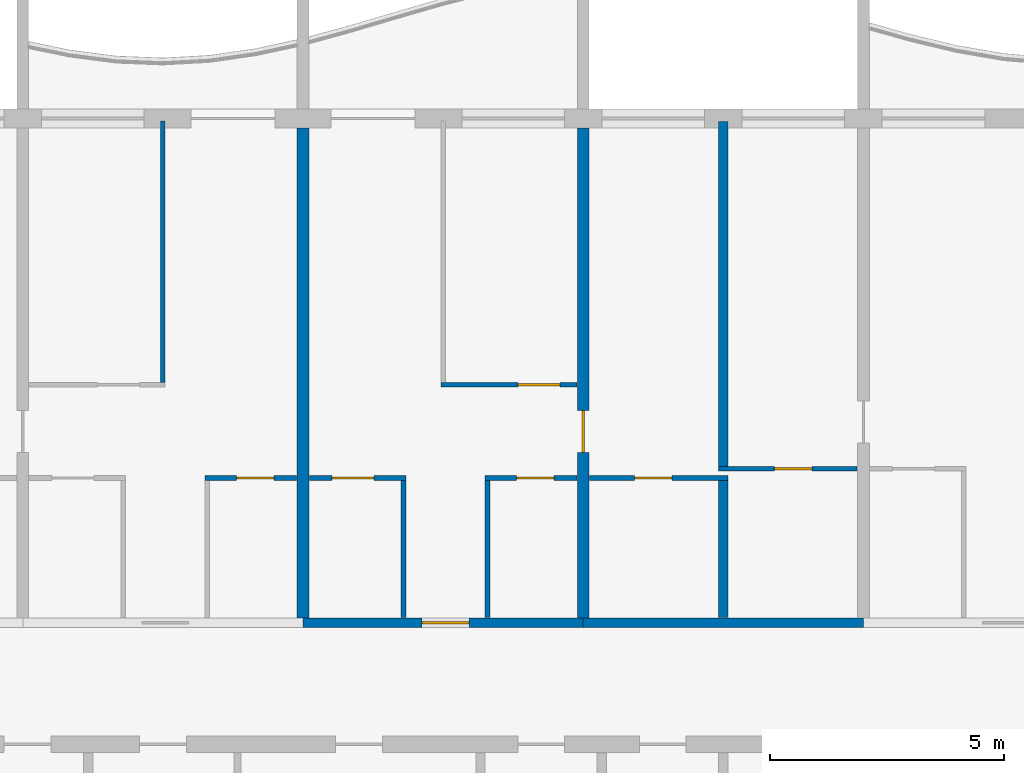
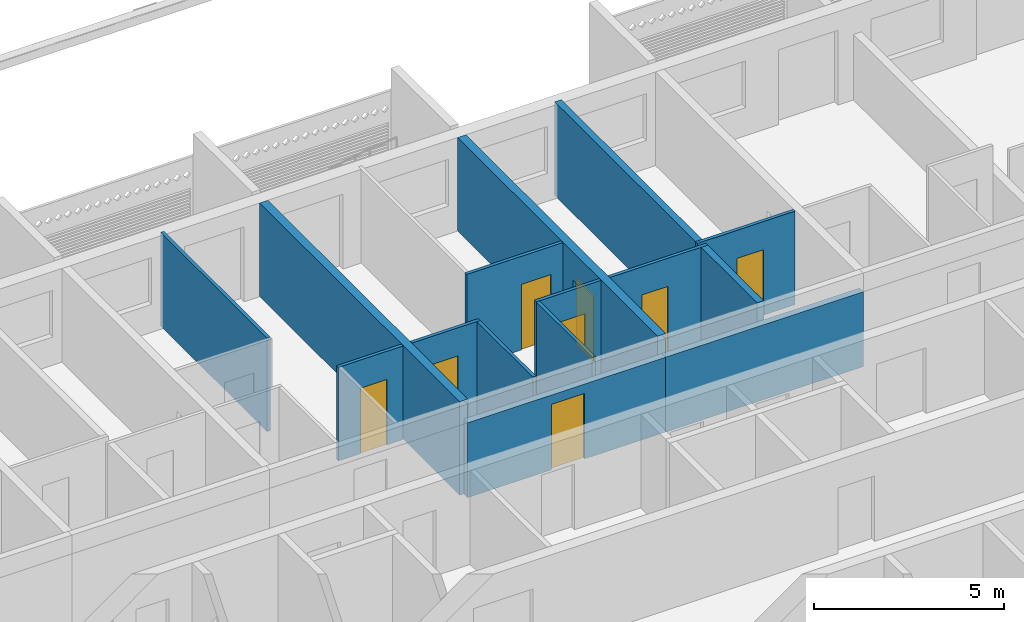
# One storey, part 11 of 20: 15 walls, 8 doors, 8 openings.
"""IFC4 building model written with IfcOpenShell, lengths in metres."""

from ifc_helpers import new_model, si_unit, direction, frame, frame_2d, origin, place, context, subcontext, project, spatial, rectangle, extrude, material, layer, layer_set, type_object, element, fill, save


model = new_model("IFC4")

# Units and contexts
model_context = context("Model", 3, precision=1e-05, world=origin(), true_north=direction((0.0, 1.0)))
body_context = subcontext(model_context, "Body", "Model", "MODEL_VIEW")
ifc_project = project(units=[si_unit("LENGTHUNIT", "METRE"), si_unit("AREAUNIT", "SQUARE_METRE"), si_unit("VOLUMEUNIT", "CUBIC_METRE"), si_unit("PLANEANGLEUNIT", "RADIAN"), si_unit("MASSUNIT", "GRAM", prefix="KILO")], contexts=[model_context])

# Site, building, storey
site_placement = place(None, origin())
site = spatial("IfcSite", under=ifc_project, at=site_placement, CompositionType="ELEMENT")
building_placement = place(site_placement, origin())
building = spatial("IfcBuilding", under=site, at=building_placement, Name="Poui Terraces", CompositionType="ELEMENT")
storey_placement = place(building_placement, frame((0.0, 0.0, 257.699951171875)))
storey = spatial("IfcBuildingStorey", under=building, at=storey_placement, Name="L72", CompositionType="ELEMENT", Elevation=257.699951171875)

# Wall, opening, door
ifc_material_1 = material(Name="Concrete 50 MPa", Category="concrete")
ifc_layer_1 = layer(ifc_material_1, 0.199951171875)
ifc_layer_set_1 = layer_set([ifc_layer_1], Name="Concrete 50 MPa")
wall_type_1 = type_object("IfcWallType", Name="CORRIDOR WALL 200 50MPa", PredefinedType="SHEAR", material=ifc_layer_set_1)
wall_1_placement = place(storey_placement, frame((54.0, 30.39990234375, 0.0), z_axis=(0.0, 0.0, 1.0), x_axis=(1.0, 0.0, 0.0)))
wall_1 = element("IfcWall", 1, at=wall_1_placement, inside=storey, type_object=wall_type_1, Name="CORRIDOR WALL LINE E BAY 7", PredefinedType="SHEAR", context=body_context, shape_type="SweptSolid", body=[
    extrude(rectangle(XDim=6.0, YDim=0.199951171875, at=frame_2d((3.0, 0.0))), origin(), (0.0, 0.0, 1.0), 2.400146484375),
])
opening_1_placement = place(wall_1_placement, frame((2.550048828125, 0.0, 0.0)))
opening_1 = element("IfcOpeningElement", 2, at=opening_1_placement, cuts=wall_1, Name="Opening FD30S", PredefinedType="OPENING", context=body_context, shape_type="SweptSolid", body=[
    extrude(rectangle(XDim=1.0, YDim=2.10009765625, at=frame_2d((0.5, 1.050048828125))), frame((0.0, 0.10986328125, 0.0), z_axis=(0.0, -1.0, 0.0), x_axis=(1.0, 0.0, 0.0)), (0.0, 0.0, 1.0), 0.219970703125),
])
ifc_material_2 = material(Name="Steel fire door", Category="steel")
door_type_1 = type_object("IfcDoorType", Name="FLAT ENTRANCE DOOR 1000 X 2100", OperationType="NOTDEFINED", PredefinedType="DOOR", material=ifc_material_2)
door_1_placement = place(opening_1_placement, origin())
door_1 = element("IfcDoor", 3, at=door_1_placement, inside=storey, type_object=door_type_1, Name="FLAT ENTRANCE DOOR 048", OperationType="SINGLE_SWING_RIGHT", OverallHeight=2.10009765625, OverallWidth=1.0, PredefinedType="DOOR", context=body_context, shape_type="SweptSolid", body=[
    extrude(rectangle(XDim=1.0, YDim=2.10009765625, at=frame_2d((0.5, 1.050048828125))), frame((0.0, 0.02490234375, 0.0), z_axis=(0.0, -1.0, 0.0), x_axis=(1.0, 0.0, 0.0)), (0.0, 0.0, 1.0), 0.050048828125),
])
fill(opening_1, door_1)

# Walls
wall_2_placement = place(storey_placement, frame((60.0, 30.39990234375, 0.0), z_axis=(0.0, 0.0, 1.0), x_axis=(1.0, 0.0, 0.0)))
element("IfcWall", 4, at=wall_2_placement, inside=storey, type_object=wall_type_1, Name="CORRIDOR WALL LINE E BAY 8", PredefinedType="SHEAR", context=body_context, shape_type="SweptSolid", body=[
    extrude(rectangle(XDim=6.0, YDim=0.199951171875, at=frame_2d((3.0, 0.0))), origin(), (0.0, 0.0, 1.0), 2.400146484375),
])
ifc_layer_2 = layer(ifc_material_1, 0.25)
ifc_layer_set_2 = layer_set([ifc_layer_2], Name="Concrete 50 MPa")
wall_type_2 = type_object("IfcWallType", Name="CROSS WALL 250 50MPa", PredefinedType="SHEAR", material=ifc_layer_set_2)
wall_3_placement = place(storey_placement, frame((54.0, 30.5, 0.0), z_axis=(0.0, 0.0, 1.0), x_axis=(0.0, 1.0, 0.0)))
element("IfcWall", 5, at=wall_3_placement, inside=storey, type_object=wall_type_2, Name="CROSS WALL LINE 10 NORTH", PredefinedType="SHEAR", context=body_context, shape_type="SweptSolid", body=[
    extrude(rectangle(XDim=10.5, YDim=0.25, at=frame_2d((5.25, 0.0))), origin(), (0.0, 0.0, 1.0), 3.0),
])

# Wall, opening, door
wall_4_placement = place(storey_placement, frame((60.0, 30.5, 0.0), z_axis=(0.0, 0.0, 1.0), x_axis=(0.0, 1.0, 0.0)))
wall_4 = element("IfcWall", 6, at=wall_4_placement, inside=storey, type_object=wall_type_2, Name="CROSS WALL LINE 11 NORTH", PredefinedType="SHEAR", context=body_context, shape_type="SweptSolid", body=[
    extrude(rectangle(XDim=10.5, YDim=0.25, at=frame_2d((5.25, 0.0))), origin(), (0.0, 0.0, 1.0), 3.0),
])
opening_2_placement = place(wall_4_placement, frame((3.550048828125, 0.0, 0.0)))
opening_2 = element("IfcOpeningElement", 7, at=opening_2_placement, cuts=wall_4, Name="Opening D90", PredefinedType="OPENING", context=body_context, shape_type="SweptSolid", body=[
    extrude(rectangle(XDim=0.89990234375, YDim=2.10009765625, at=frame_2d((0.449951171875, 1.050048828125))), frame((0.0, 0.135009765625, 0.0), z_axis=(0.0, -1.0, 0.0), x_axis=(1.0, 0.0, 0.0)), (0.0, 0.0, 1.0), 0.27001953125),
])
ifc_material_3 = material(Name="Solid core timber door", Category="wood")
door_type_2 = type_object("IfcDoorType", Name="INTERNAL DOOR 900 X 2100", OperationType="NOTDEFINED", PredefinedType="DOOR", material=ifc_material_3)
door_2_placement = place(opening_2_placement, frame((0.89990234375, 0.0, 0.0), z_axis=(0.0, 0.0, 1.0), x_axis=(-1.0, 0.0, 0.0)))
door_2 = element("IfcDoor", 8, at=door_2_placement, inside=storey, type_object=door_type_2, Name="INTERNAL DOOR 051", OperationType="SINGLE_SWING_RIGHT", OverallHeight=2.10009765625, OverallWidth=0.89990234375, PredefinedType="DOOR", context=body_context, shape_type="SweptSolid", body=[
    extrude(rectangle(XDim=0.89990234375, YDim=2.10009765625, at=frame_2d((0.449951171875, 1.050048828125))), frame((0.0, 0.02490234375, 0.0), z_axis=(0.0, -1.0, 0.0), x_axis=(1.0, 0.0, 0.0)), (0.0, 0.0, 1.0), 0.050048828125),
])
fill(opening_2, door_2)

ifc_material_4 = material(Name="Plasterboard partition")
ifc_layer_3 = layer(ifc_material_4, 0.10009765625)
ifc_layer_set_3 = layer_set([ifc_layer_3], Name="Plasterboard partition")
wall_type_3 = type_object("IfcWallType", Name="FLAT PARTITION 100", PredefinedType="PARTITIONING", material=ifc_layer_set_3)
wall_5_placement = place(storey_placement, frame((51.89990234375, 33.5, 0.0), z_axis=(0.0, 0.0, 1.0), x_axis=(1.0, 0.0, 0.0)))
wall_5 = element("IfcWall", 9, at=wall_5_placement, inside=storey, type_object=wall_type_3, Name="FLAT PARTITION 100", PredefinedType="PARTITIONING", context=body_context, shape_type="SweptSolid", body=[
    extrude(rectangle(XDim=1.965087890625, YDim=0.10009765625, at=frame_2d((0.982421875, 0.0))), origin(), (0.0, 0.0, 1.0), 3.0),
])
opening_3_placement = place(wall_5_placement, frame((0.675048828125, 0.0, 0.0)))
opening_3 = element("IfcOpeningElement", 10, at=opening_3_placement, cuts=wall_5, Name="Opening D80", PredefinedType="OPENING", context=body_context, shape_type="SweptSolid", body=[
    extrude(rectangle(XDim=0.800048828125, YDim=2.10009765625, at=frame_2d((0.39990234375, 1.050048828125))), frame((0.0, 0.06005859375, 0.0), z_axis=(0.0, -1.0, 0.0), x_axis=(1.0, 0.0, 0.0)), (0.0, 0.0, 1.0), 0.1201171875),
])
door_type_3 = type_object("IfcDoorType", Name="BATHROOM, LAUNDRY AND STORE DOOR 800 X 2100", OperationType="NOTDEFINED", PredefinedType="DOOR", material=ifc_material_3)
door_3_placement = place(opening_3_placement, frame((0.800048828125, 0.0, 0.0), z_axis=(0.0, 0.0, 1.0), x_axis=(-1.0, 0.0, 0.0)))
door_3 = element("IfcDoor", 11, at=door_3_placement, inside=storey, type_object=door_type_3, Name="BATHROOM, LAUNDRY AND STORE DOOR 045", OperationType="SINGLE_SWING_RIGHT", OverallHeight=2.10009765625, OverallWidth=0.800048828125, PredefinedType="DOOR", context=body_context, shape_type="SweptSolid", body=[
    extrude(rectangle(XDim=0.800048828125, YDim=2.10009765625, at=frame_2d((0.39990234375, 1.050048828125))), frame((0.0, 0.02490234375, 0.0), z_axis=(0.0, -1.0, 0.0), x_axis=(1.0, 0.0, 0.0)), (0.0, 0.0, 1.0), 0.050048828125),
])
fill(opening_3, door_3)

wall_6_placement = place(storey_placement, frame((54.135009765625, 33.5, 0.0), z_axis=(0.0, 0.0, 1.0), x_axis=(1.0, 0.0, 0.0)))
wall_6 = element("IfcWall", 12, at=wall_6_placement, inside=storey, type_object=wall_type_3, Name="FLAT PARTITION 100", PredefinedType="PARTITIONING", context=body_context, shape_type="SweptSolid", body=[
    extrude(rectangle(XDim=2.06494140625, YDim=0.10009765625, at=frame_2d((1.032470703125, 0.0))), origin(), (0.0, 0.0, 1.0), 3.0),
])
opening_4_placement = place(wall_6_placement, frame((0.489990234375, 0.0, 0.0)))
opening_4 = element("IfcOpeningElement", 13, at=opening_4_placement, cuts=wall_6, Name="Opening D90", PredefinedType="OPENING", context=body_context, shape_type="SweptSolid", body=[
    extrude(rectangle(XDim=0.89990234375, YDim=2.10009765625, at=frame_2d((0.449951171875, 1.050048828125))), frame((0.0, 0.06005859375, 0.0), z_axis=(0.0, -1.0, 0.0), x_axis=(1.0, 0.0, 0.0)), (0.0, 0.0, 1.0), 0.1201171875),
])
door_4_placement = place(opening_4_placement, frame((0.89990234375, 0.0, 0.0), z_axis=(0.0, 0.0, 1.0), x_axis=(-1.0, 0.0, 0.0)))
door_4 = element("IfcDoor", 14, at=door_4_placement, inside=storey, type_object=door_type_2, Name="INTERNAL DOOR 047", OperationType="SINGLE_SWING_RIGHT", OverallHeight=2.10009765625, OverallWidth=0.89990234375, PredefinedType="DOOR", context=body_context, shape_type="SweptSolid", body=[
    extrude(rectangle(XDim=0.89990234375, YDim=2.10009765625, at=frame_2d((0.449951171875, 1.050048828125))), frame((0.0, 0.02490234375, 0.0), z_axis=(0.0, -1.0, 0.0), x_axis=(1.0, 0.0, 0.0)), (0.0, 0.0, 1.0), 0.050048828125),
])
fill(opening_4, door_4)

wall_7_placement = place(storey_placement, frame((57.89990234375, 33.5, 0.0), z_axis=(0.0, 0.0, 1.0), x_axis=(1.0, 0.0, 0.0)))
wall_7 = element("IfcWall", 15, at=wall_7_placement, inside=storey, type_object=wall_type_3, Name="FLAT PARTITION 100", PredefinedType="PARTITIONING", context=body_context, shape_type="SweptSolid", body=[
    extrude(rectangle(XDim=1.965087890625, YDim=0.10009765625, at=frame_2d((0.982421875, 0.0))), origin(), (0.0, 0.0, 1.0), 3.0),
])
opening_5_placement = place(wall_7_placement, frame((0.675048828125, 0.0, 0.0)))
opening_5 = element("IfcOpeningElement", 16, at=opening_5_placement, cuts=wall_7, Name="Opening D80", PredefinedType="OPENING", context=body_context, shape_type="SweptSolid", body=[
    extrude(rectangle(XDim=0.800048828125, YDim=2.10009765625, at=frame_2d((0.39990234375, 1.050048828125))), frame((0.0, 0.06005859375, 0.0), z_axis=(0.0, -1.0, 0.0), x_axis=(1.0, 0.0, 0.0)), (0.0, 0.0, 1.0), 0.1201171875),
])
door_5_placement = place(opening_5_placement, frame((0.800048828125, 0.0, 0.0), z_axis=(0.0, 0.0, 1.0), x_axis=(-1.0, 0.0, 0.0)))
door_5 = element("IfcDoor", 17, at=door_5_placement, inside=storey, type_object=door_type_3, Name="BATHROOM, LAUNDRY AND STORE DOOR 049", OperationType="SINGLE_SWING_LEFT", OverallHeight=2.10009765625, OverallWidth=0.800048828125, PredefinedType="DOOR", context=body_context, shape_type="SweptSolid", body=[
    extrude(rectangle(XDim=0.800048828125, YDim=2.10009765625, at=frame_2d((0.39990234375, 1.050048828125))), frame((0.0, 0.02490234375, 0.0), z_axis=(0.0, -1.0, 0.0), x_axis=(1.0, 0.0, 0.0)), (0.0, 0.0, 1.0), 0.050048828125),
])
fill(opening_5, door_5)

wall_8_placement = place(storey_placement, frame((60.135009765625, 33.5, 0.0), z_axis=(0.0, 0.0, 1.0), x_axis=(1.0, 0.0, 0.0)))
wall_8 = element("IfcWall", 18, at=wall_8_placement, inside=storey, type_object=wall_type_3, Name="FLAT PARTITION 100", PredefinedType="PARTITIONING", context=body_context, shape_type="SweptSolid", body=[
    extrude(rectangle(XDim=2.965087890625, YDim=0.10009765625, at=frame_2d((1.482421875, 0.0))), origin(), (0.0, 0.0, 1.0), 3.0),
])
opening_6_placement = place(wall_8_placement, frame((0.965087890625, 0.0, 0.0)))
opening_6 = element("IfcOpeningElement", 19, at=opening_6_placement, cuts=wall_8, Name="Opening D80", PredefinedType="OPENING", context=body_context, shape_type="SweptSolid", body=[
    extrude(rectangle(XDim=0.800048828125, YDim=2.10009765625, at=frame_2d((0.39990234375, 1.050048828125))), frame((0.0, 0.06005859375, 0.0), z_axis=(0.0, -1.0, 0.0), x_axis=(1.0, 0.0, 0.0)), (0.0, 0.0, 1.0), 0.1201171875),
])
door_6_placement = place(opening_6_placement, frame((0.800048828125, 0.0, 0.0), z_axis=(0.0, 0.0, 1.0), x_axis=(-1.0, 0.0, 0.0)))
door_6 = element("IfcDoor", 20, at=door_6_placement, inside=storey, type_object=door_type_3, Name="BATHROOM, LAUNDRY AND STORE DOOR 046", OperationType="SINGLE_SWING_RIGHT", OverallHeight=2.10009765625, OverallWidth=0.800048828125, PredefinedType="DOOR", context=body_context, shape_type="SweptSolid", body=[
    extrude(rectangle(XDim=0.800048828125, YDim=2.10009765625, at=frame_2d((0.39990234375, 1.050048828125))), frame((0.0, 0.02490234375, 0.0), z_axis=(0.0, -1.0, 0.0), x_axis=(1.0, 0.0, 0.0)), (0.0, 0.0, 1.0), 0.050048828125),
])
fill(opening_6, door_6)

wall_9_placement = place(storey_placement, frame((62.89990234375, 33.699951171875, 0.0), z_axis=(0.0, 0.0, 1.0), x_axis=(1.0, 0.0, 0.0)))
wall_9 = element("IfcWall", 21, at=wall_9_placement, inside=storey, type_object=wall_type_3, Name="FLAT PARTITION 100", PredefinedType="PARTITIONING", context=body_context, shape_type="SweptSolid", body=[
    extrude(rectangle(XDim=2.965087890625, YDim=0.10009765625, at=frame_2d((1.482421875, 0.0))), origin(), (0.0, 0.0, 1.0), 3.0),
])
opening_7_placement = place(wall_9_placement, frame((1.199951171875, 0.0, 0.0)))
opening_7 = element("IfcOpeningElement", 22, at=opening_7_placement, cuts=wall_9, Name="Opening D80", PredefinedType="OPENING", context=body_context, shape_type="SweptSolid", body=[
    extrude(rectangle(XDim=0.800048828125, YDim=2.10009765625, at=frame_2d((0.39990234375, 1.050048828125))), frame((0.0, 0.06005859375, 0.0), z_axis=(0.0, -1.0, 0.0), x_axis=(1.0, 0.0, 0.0)), (0.0, 0.0, 1.0), 0.1201171875),
])
door_7_placement = place(opening_7_placement, frame((0.800048828125, 0.0, 0.0), z_axis=(0.0, 0.0, 1.0), x_axis=(-1.0, 0.0, 0.0)))
door_7 = element("IfcDoor", 23, at=door_7_placement, inside=storey, type_object=door_type_3, Name="BATHROOM, LAUNDRY AND STORE DOOR 052", OperationType="SINGLE_SWING_LEFT", OverallHeight=2.10009765625, OverallWidth=0.800048828125, PredefinedType="DOOR", context=body_context, shape_type="SweptSolid", body=[
    extrude(rectangle(XDim=0.800048828125, YDim=2.10009765625, at=frame_2d((0.39990234375, 1.050048828125))), frame((0.0, 0.02490234375, 0.0), z_axis=(0.0, -1.0, 0.0), x_axis=(1.0, 0.0, 0.0)), (0.0, 0.0, 1.0), 0.050048828125),
])
fill(opening_7, door_7)

wall_10_placement = place(storey_placement, frame((56.949951171875, 35.5, 0.0), z_axis=(0.0, 0.0, 1.0), x_axis=(1.0, 0.0, 0.0)))
wall_10 = element("IfcWall", 24, at=wall_10_placement, inside=storey, type_object=wall_type_3, Name="FLAT PARTITION 100", PredefinedType="PARTITIONING", context=body_context, shape_type="SweptSolid", body=[
    extrude(rectangle(XDim=2.9150390625, YDim=0.10009765625, at=frame_2d((1.45751953125, 0.0))), origin(), (0.0, 0.0, 1.0), 3.0),
])
opening_8_placement = place(wall_10_placement, frame((1.64990234375, 0.0, 0.0)))
opening_8 = element("IfcOpeningElement", 25, at=opening_8_placement, cuts=wall_10, Name="Opening D90", PredefinedType="OPENING", context=body_context, shape_type="SweptSolid", body=[
    extrude(rectangle(XDim=0.89990234375, YDim=2.10009765625, at=frame_2d((0.449951171875, 1.050048828125))), frame((0.0, 0.06005859375, 0.0), z_axis=(0.0, -1.0, 0.0), x_axis=(1.0, 0.0, 0.0)), (0.0, 0.0, 1.0), 0.1201171875),
])
door_8_placement = place(opening_8_placement, frame((0.89990234375, 0.0, 0.0), z_axis=(0.0, 0.0, 1.0), x_axis=(-1.0, 0.0, 0.0)))
door_8 = element("IfcDoor", 26, at=door_8_placement, inside=storey, type_object=door_type_2, Name="INTERNAL DOOR 050", OperationType="SINGLE_SWING_RIGHT", OverallHeight=2.10009765625, OverallWidth=0.89990234375, PredefinedType="DOOR", context=body_context, shape_type="SweptSolid", body=[
    extrude(rectangle(XDim=0.89990234375, YDim=2.10009765625, at=frame_2d((0.449951171875, 1.050048828125))), frame((0.0, 0.02490234375, 0.0), z_axis=(0.0, -1.0, 0.0), x_axis=(1.0, 0.0, 0.0)), (0.0, 0.0, 1.0), 0.050048828125),
])
fill(opening_8, door_8)

# Walls
wall_11_placement = place(storey_placement, frame((51.0, 35.550048828125, 0.0), z_axis=(0.0, 0.0, 1.0), x_axis=(0.0, 1.0, 0.0)))
element("IfcWall", 27, at=wall_11_placement, inside=storey, type_object=wall_type_3, Name="FLAT PARTITION 100", PredefinedType="PARTITIONING", context=body_context, shape_type="SweptSolid", body=[
    extrude(rectangle(XDim=5.58984375, YDim=0.10009765625, at=frame_2d((2.794921875, 0.0))), origin(), (0.0, 0.0, 1.0), 3.0),
])
for number, where, z_axis, x_axis, name in (
    (28, (56.14990234375, 30.510009765625, 0.0), (0.0, 0.0, 1.0), (0.0, 1.0, 0.0), "FLAT PARTITION 100"),
    (29, (57.949951171875, 30.510009765625, 0.0), (0.0, 0.0, 1.0), (0.0, 1.0, 0.0), "FLAT PARTITION 100"),
):
    element("IfcWall", number, at=place(storey_placement, frame(where, z_axis=z_axis, x_axis=x_axis)), inside=storey, type_object=wall_type_3, Name=name, PredefinedType="PARTITIONING", context=body_context, shape_type="SweptSolid", body=[
        extrude(rectangle(XDim=2.93994140625, YDim=0.10009765625, at=frame_2d((1.469970703125, 0.0))), origin(), (0.0, 0.0, 1.0), 3.0),
    ])
ifc_material_5 = material(Name="Fire-rated masonry wall", Category="masonry")
ifc_layer_4 = layer(ifc_material_5, 0.199951171875)
ifc_layer_set_4 = layer_set([ifc_layer_4], Name="Fire-rated masonry wall")
wall_type_4 = type_object("IfcWallType", Name="FLAT PARTY WALL 200", PredefinedType="PARTITIONING", material=ifc_layer_set_4)
wall_12_placement = place(storey_placement, frame((63.0, 30.510009765625, 0.0), z_axis=(0.0, 0.0, 1.0), x_axis=(0.0, 1.0, 0.0)))
element("IfcWall", 30, at=wall_12_placement, inside=storey, type_object=wall_type_4, Name="FLAT PARTY WALL 200", PredefinedType="PARTITIONING", context=body_context, shape_type="SweptSolid", body=[
    extrude(rectangle(XDim=2.93994140625, YDim=0.199951171875, at=frame_2d((1.469970703125, 0.0))), origin(), (0.0, 0.0, 1.0), 3.0),
])
wall_13_placement = place(storey_placement, frame((63.0, 33.75, 0.0), z_axis=(0.0, 0.0, 1.0), x_axis=(0.0, 1.0, 0.0)))
element("IfcWall", 31, at=wall_13_placement, inside=storey, type_object=wall_type_4, Name="FLAT PARTY WALL 200", PredefinedType="PARTITIONING", context=body_context, shape_type="SweptSolid", body=[
    extrude(rectangle(XDim=7.389892578125, YDim=0.199951171875, at=frame_2d((3.69482421875, 0.0))), origin(), (0.0, 0.0, 1.0), 3.0),
])

save(model, "model.ifc")
